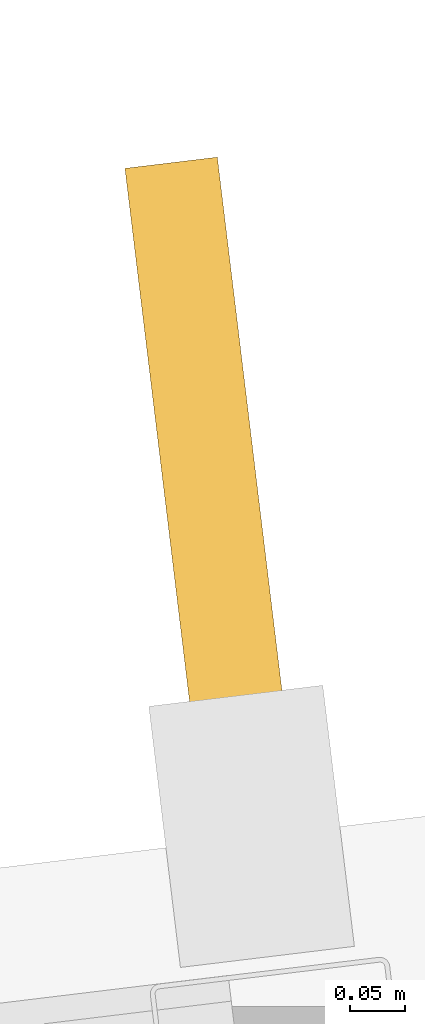
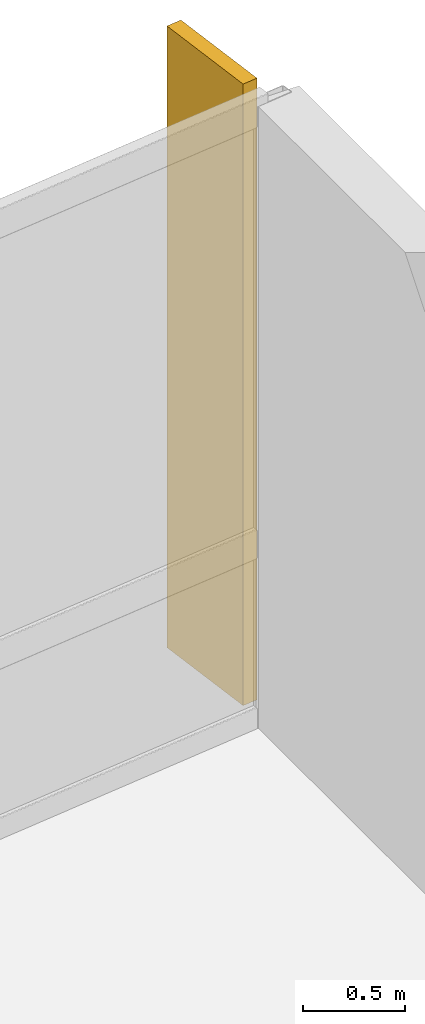
# One storey, part 18 of 18: 1 shading device.
"""IFC4 building model written with IfcOpenShell, lengths in metres."""

from ifc_helpers import new_model, si_unit, direction, frame, origin, origin_2d, place, context, subcontext, project, spatial, rectangle, extrude, material, layer, layer_set, type_object, element, save


model = new_model("IFC4")

# Units and contexts
model_context = context("Model", 3, precision=1e-05, world=origin(), true_north=direction((0.0, 1.0)))
body_context = subcontext(model_context, "Body", "Model", "MODEL_VIEW")
ifc_project = project(units=[si_unit("LENGTHUNIT", "METRE"), si_unit("AREAUNIT", "SQUARE_METRE"), si_unit("VOLUMEUNIT", "CUBIC_METRE"), si_unit("PLANEANGLEUNIT", "RADIAN"), si_unit("MASSUNIT", "GRAM", prefix="KILO")], contexts=[model_context])

# Site, building, storey
site_placement = place(None, origin())
site = spatial("IfcSite", under=ifc_project, at=site_placement, CompositionType="ELEMENT")
building_placement = place(site_placement, origin())
building = spatial("IfcBuilding", under=site, at=building_placement, Name="Varnakote Quay Hospital", CompositionType="ELEMENT")
storey_placement = place(building_placement, frame((0.0, 0.0, 158.64990234375)))
storey = spatial("IfcBuildingStorey", under=building, at=storey_placement, Name="L39", CompositionType="ELEMENT", Elevation=158.64990234375)

# Shading device
ifc_material = material(Name="Anodised aluminium 6063-T6 Bronze", Category="aluminium")
ifc_layer = layer(ifc_material, 0.0849609375)
ifc_layer_set = layer_set([ifc_layer], Name="Anodised aluminium 6063-T6 Bronze")
shading_device_type = type_object("IfcShadingDeviceType", Name="SHD-BRONZE-FIN-620", PredefinedType="USERDEFINED", material=ifc_layer_set)
shading_device_placement = place(storey_placement, frame((53.9462890625, 33.381591796875, 0.0), z_axis=(0.0, 0.0, 1.0), x_axis=(0.120310105847, -0.992736358975, 0.0)))
element("IfcShadingDevice", 1, at=shading_device_placement, inside=storey, type_object=shading_device_type, Name="L39 Anodised Bronze Vertical Shading FIN", ObjectType="FIN", PredefinedType="USERDEFINED", context=body_context, shape_type="SweptSolid", body=[
    extrude(rectangle(XDim=0.6201171875, YDim=0.0849609375, at=origin_2d()), origin(), (0.0, 0.0, 1.0), 3.7099609375),
])

save(model, "model.ifc")
